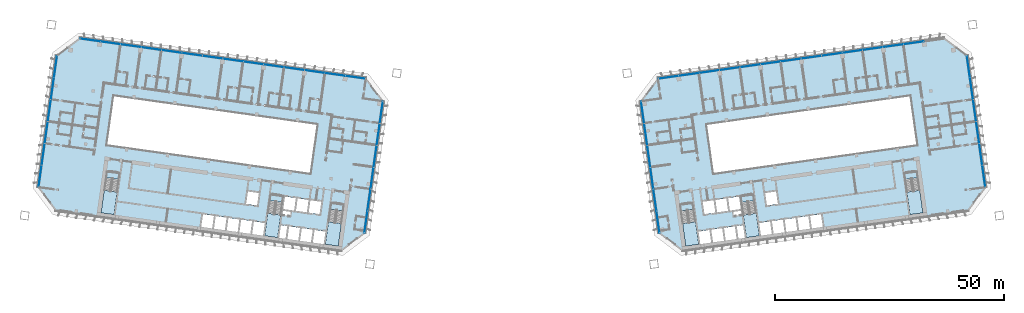
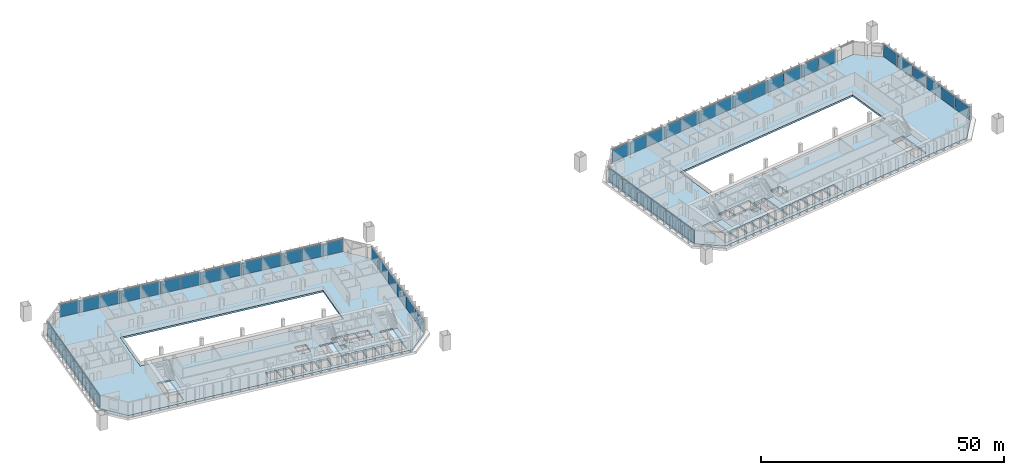
# One storey, part 12 of 24: 51 plates, 8 slabs, 12 elements without a shape of their own.
"""IFC4 building model written with IfcOpenShell, lengths in metres."""

from ifc_helpers import new_model, si_unit, direction, frame, origin, origin_2d, place, context, subcontext, project, spatial, polyline, rectangle, outline, extrude, material, layer, layer_set, type_object, element, aggregate, save


model = new_model("IFC4")

# Units and contexts
model_context = context("Model", 3, precision=1e-05, world=origin(), true_north=direction((0.0, 1.0)))
body_context = subcontext(model_context, "Body", "Model", "MODEL_VIEW")
ifc_project = project(units=[si_unit("LENGTHUNIT", "METRE"), si_unit("AREAUNIT", "SQUARE_METRE"), si_unit("VOLUMEUNIT", "CUBIC_METRE"), si_unit("PLANEANGLEUNIT", "RADIAN"), si_unit("MASSUNIT", "GRAM", prefix="KILO")], contexts=[model_context])

# Site, building, storey
site_placement = place(None, origin())
site = spatial("IfcSite", under=ifc_project, at=site_placement, CompositionType="ELEMENT")
building_placement = place(site_placement, origin())
building = spatial("IfcBuilding", under=site, at=building_placement, Name="Mirante Cascada Hotel Towers", CompositionType="ELEMENT")
storey_placement = place(building_placement, frame((0.0, 0.0, 43.3)))
storey = spatial("IfcBuildingStorey", under=building, at=storey_placement, Name="L07", CompositionType="ELEMENT", Elevation=43.3)

# Curtain wall, plates
ifc_material_1 = material(Name="Aluminium mullion and transom frame with clear laminated glass", Category="aluminium")
curtain_wall_type_1 = type_object("IfcCurtainWallType", Name="Ribbon curtain wall ECW1", PredefinedType="NOTDEFINED", material=ifc_material_1)
curtain_wall_1_placement = place(storey_placement, origin())
curtain_wall_1 = element("IfcCurtainWall", 1, at=curtain_wall_1_placement, inside=storey, type_object=curtain_wall_type_1, Name="Front ribbon wall T1 L07", PredefinedType="NOTDEFINED")
ifc_material_2 = material(Name="Clear laminated glass", Category="glass")
ifc_layer_1 = layer(ifc_material_2, 0.036)
ifc_layer_set_1 = layer_set([ifc_layer_1], Name="ECW1 glass panel 36")
plate_type_1 = type_object("IfcPlateType", Name="ECW1 glass panel 36", PredefinedType="CURTAIN_PANEL", material=ifc_layer_set_1)
plate_1_placement = place(storey_placement, frame((-91.9184, 25.7373, 0.1), z_axis=(0.0, 0.0, 1.0), x_axis=(0.9902681, -0.1391731, 0.0)))
plate_1 = element("IfcPlate", 2, at=plate_1_placement, type_object=plate_type_1, Name="ECW1 panel 1", PredefinedType="CURTAIN_PANEL", context=body_context, shape_type="SweptSolid", body=[
    extrude(rectangle(XDim=4.3936, YDim=0.036, at=origin_2d()), origin(), (0.0, 0.0, 1.0), 3.15),
])
plate_2_placement = place(storey_placement, frame((-87.487, 25.1145, 0.1), z_axis=(0.0, 0.0, 1.0), x_axis=(0.9902681, -0.1391731, 0.0)))
plate_2 = element("IfcPlate", 3, at=plate_2_placement, type_object=plate_type_1, Name="ECW1 panel 2", PredefinedType="CURTAIN_PANEL", context=body_context, shape_type="SweptSolid", body=[
    extrude(rectangle(XDim=4.4261, YDim=0.036, at=origin_2d()), origin(), (0.0, 0.0, 1.0), 3.15),
])
plate_3_placement = place(storey_placement, frame((-83.0396, 24.4895, 0.1), z_axis=(0.0, 0.0, 1.0), x_axis=(0.9902681, -0.1391731, 0.0)))
plate_3 = element("IfcPlate", 4, at=plate_3_placement, type_object=plate_type_1, Name="ECW1 panel 3", PredefinedType="CURTAIN_PANEL", context=body_context, shape_type="SweptSolid", body=[
    extrude(rectangle(XDim=4.4261, YDim=0.036, at=origin_2d()), origin(), (0.0, 0.0, 1.0), 3.15),
])
plate_4_placement = place(storey_placement, frame((-78.5922, 23.8644, 0.1), z_axis=(0.0, 0.0, 1.0), x_axis=(0.9902681, -0.1391731, 0.0)))
plate_4 = element("IfcPlate", 5, at=plate_4_placement, type_object=plate_type_1, Name="ECW1 panel 4", PredefinedType="CURTAIN_PANEL", context=body_context, shape_type="SweptSolid", body=[
    extrude(rectangle(XDim=4.4261, YDim=0.036, at=origin_2d()), origin(), (0.0, 0.0, 1.0), 3.15),
])
plate_5_placement = place(storey_placement, frame((-74.1448, 23.2394, 0.1), z_axis=(0.0, 0.0, 1.0), x_axis=(0.9902681, -0.1391731, 0.0)))
plate_5 = element("IfcPlate", 6, at=plate_5_placement, type_object=plate_type_1, Name="ECW1 panel 5", PredefinedType="CURTAIN_PANEL", context=body_context, shape_type="SweptSolid", body=[
    extrude(rectangle(XDim=4.4261, YDim=0.036, at=origin_2d()), origin(), (0.0, 0.0, 1.0), 3.15),
])
plate_6_placement = place(storey_placement, frame((-69.6974, 22.6144, 0.1), z_axis=(0.0, 0.0, 1.0), x_axis=(0.9902681, -0.1391731, 0.0)))
plate_6 = element("IfcPlate", 7, at=plate_6_placement, type_object=plate_type_1, Name="ECW1 panel 6", PredefinedType="CURTAIN_PANEL", context=body_context, shape_type="SweptSolid", body=[
    extrude(rectangle(XDim=4.4261, YDim=0.036, at=origin_2d()), origin(), (0.0, 0.0, 1.0), 3.15),
])
plate_7_placement = place(storey_placement, frame((-65.2499, 21.9893, 0.1), z_axis=(0.0, 0.0, 1.0), x_axis=(0.9902681, -0.1391731, 0.0)))
plate_7 = element("IfcPlate", 8, at=plate_7_placement, type_object=plate_type_1, Name="ECW1 panel 7", PredefinedType="CURTAIN_PANEL", context=body_context, shape_type="SweptSolid", body=[
    extrude(rectangle(XDim=4.4261, YDim=0.036, at=origin_2d()), origin(), (0.0, 0.0, 1.0), 3.15),
])
plate_8_placement = place(storey_placement, frame((-60.8025, 21.3643, 0.1), z_axis=(0.0, 0.0, 1.0), x_axis=(0.9902681, -0.1391731, 0.0)))
plate_8 = element("IfcPlate", 9, at=plate_8_placement, type_object=plate_type_1, Name="ECW1 panel 8", PredefinedType="CURTAIN_PANEL", context=body_context, shape_type="SweptSolid", body=[
    extrude(rectangle(XDim=4.4261, YDim=0.036, at=origin_2d()), origin(), (0.0, 0.0, 1.0), 3.15),
])
plate_9_placement = place(storey_placement, frame((-56.3551, 20.7392, 0.1), z_axis=(0.0, 0.0, 1.0), x_axis=(0.9902681, -0.1391731, 0.0)))
plate_9 = element("IfcPlate", 10, at=plate_9_placement, type_object=plate_type_1, Name="ECW1 panel 9", PredefinedType="CURTAIN_PANEL", context=body_context, shape_type="SweptSolid", body=[
    extrude(rectangle(XDim=4.4261, YDim=0.036, at=origin_2d()), origin(), (0.0, 0.0, 1.0), 3.15),
])
plate_10_placement = place(storey_placement, frame((-51.9077, 20.1142, 0.1), z_axis=(0.0, 0.0, 1.0), x_axis=(0.9902681, -0.1391731, 0.0)))
plate_10 = element("IfcPlate", 11, at=plate_10_placement, type_object=plate_type_1, Name="ECW1 panel 10", PredefinedType="CURTAIN_PANEL", context=body_context, shape_type="SweptSolid", body=[
    extrude(rectangle(XDim=4.4261, YDim=0.036, at=origin_2d()), origin(), (0.0, 0.0, 1.0), 3.15),
])
plate_11_placement = place(storey_placement, frame((-47.4603, 19.4891, 0.1), z_axis=(0.0, 0.0, 1.0), x_axis=(0.9902681, -0.1391731, 0.0)))
plate_11 = element("IfcPlate", 12, at=plate_11_placement, type_object=plate_type_1, Name="ECW1 panel 11", PredefinedType="CURTAIN_PANEL", context=body_context, shape_type="SweptSolid", body=[
    extrude(rectangle(XDim=4.4261, YDim=0.036, at=origin_2d()), origin(), (0.0, 0.0, 1.0), 3.15),
])
plate_12_placement = place(storey_placement, frame((-43.0129, 18.8641, 0.1), z_axis=(0.0, 0.0, 1.0), x_axis=(0.9902681, -0.1391731, 0.0)))
plate_12 = element("IfcPlate", 13, at=plate_12_placement, type_object=plate_type_1, Name="ECW1 panel 12", PredefinedType="CURTAIN_PANEL", context=body_context, shape_type="SweptSolid", body=[
    extrude(rectangle(XDim=4.4261, YDim=0.036, at=origin_2d()), origin(), (0.0, 0.0, 1.0), 3.15),
])
plate_13_placement = place(storey_placement, frame((-38.5654, 18.239, 0.1), z_axis=(0.0, 0.0, 1.0), x_axis=(0.9902681, -0.1391731, 0.0)))
plate_13 = element("IfcPlate", 14, at=plate_13_placement, type_object=plate_type_1, Name="ECW1 panel 13", PredefinedType="CURTAIN_PANEL", context=body_context, shape_type="SweptSolid", body=[
    extrude(rectangle(XDim=4.4261, YDim=0.036, at=origin_2d()), origin(), (0.0, 0.0, 1.0), 3.15),
])
plate_14_placement = place(storey_placement, frame((-34.1341, 17.6163, 0.1), z_axis=(0.0, 0.0, 1.0), x_axis=(0.9902681, -0.1391731, 0.0)))
plate_14 = element("IfcPlate", 15, at=plate_14_placement, type_object=plate_type_1, Name="ECW1 panel 14", PredefinedType="CURTAIN_PANEL", context=body_context, shape_type="SweptSolid", body=[
    extrude(rectangle(XDim=4.3936, YDim=0.036, at=origin_2d()), origin(), (0.0, 0.0, 1.0), 3.15),
])
aggregate(curtain_wall_1, [plate_1, plate_2, plate_3, plate_4, plate_5, plate_6, plate_7, plate_8, plate_9, plate_10, plate_11, plate_12, plate_13, plate_14])

curtain_wall_2_placement = place(storey_placement, origin())
curtain_wall_2 = element("IfcCurtainWall", 16, at=curtain_wall_2_placement, inside=storey, type_object=curtain_wall_type_1, Name="Front ribbon wall T2 L07", PredefinedType="NOTDEFINED")
plate_15_placement = place(storey_placement, frame((87.487, 25.1145, 0.1), z_axis=(0.0, 0.0, 1.0), x_axis=(-0.9902681, -0.1391731, 0.0)))
plate_15 = element("IfcPlate", 17, at=plate_15_placement, type_object=plate_type_1, Name="ECW1 panel 2", PredefinedType="CURTAIN_PANEL", context=body_context, shape_type="SweptSolid", body=[
    extrude(rectangle(XDim=4.4261, YDim=0.036, at=origin_2d()), origin(), (0.0, 0.0, 1.0), 3.15),
])
plate_16_placement = place(storey_placement, frame((83.0396, 24.4895, 0.1), z_axis=(0.0, 0.0, 1.0), x_axis=(-0.9902681, -0.1391731, 0.0)))
plate_16 = element("IfcPlate", 18, at=plate_16_placement, type_object=plate_type_1, Name="ECW1 panel 3", PredefinedType="CURTAIN_PANEL", context=body_context, shape_type="SweptSolid", body=[
    extrude(rectangle(XDim=4.4261, YDim=0.036, at=origin_2d()), origin(), (0.0, 0.0, 1.0), 3.15),
])
plate_17_placement = place(storey_placement, frame((78.5922, 23.8644, 0.1), z_axis=(0.0, 0.0, 1.0), x_axis=(-0.9902681, -0.1391731, 0.0)))
plate_17 = element("IfcPlate", 19, at=plate_17_placement, type_object=plate_type_1, Name="ECW1 panel 4", PredefinedType="CURTAIN_PANEL", context=body_context, shape_type="SweptSolid", body=[
    extrude(rectangle(XDim=4.4261, YDim=0.036, at=origin_2d()), origin(), (0.0, 0.0, 1.0), 3.15),
])
plate_18_placement = place(storey_placement, frame((74.1448, 23.2394, 0.1), z_axis=(0.0, 0.0, 1.0), x_axis=(-0.9902681, -0.1391731, 0.0)))
plate_18 = element("IfcPlate", 20, at=plate_18_placement, type_object=plate_type_1, Name="ECW1 panel 5", PredefinedType="CURTAIN_PANEL", context=body_context, shape_type="SweptSolid", body=[
    extrude(rectangle(XDim=4.4261, YDim=0.036, at=origin_2d()), origin(), (0.0, 0.0, 1.0), 3.15),
])
plate_19_placement = place(storey_placement, frame((69.6974, 22.6144, 0.1), z_axis=(0.0, 0.0, 1.0), x_axis=(-0.9902681, -0.1391731, 0.0)))
plate_19 = element("IfcPlate", 21, at=plate_19_placement, type_object=plate_type_1, Name="ECW1 panel 6", PredefinedType="CURTAIN_PANEL", context=body_context, shape_type="SweptSolid", body=[
    extrude(rectangle(XDim=4.4261, YDim=0.036, at=origin_2d()), origin(), (0.0, 0.0, 1.0), 3.15),
])
plate_20_placement = place(storey_placement, frame((65.2499, 21.9893, 0.1), z_axis=(0.0, 0.0, 1.0), x_axis=(-0.9902681, -0.1391731, 0.0)))
plate_20 = element("IfcPlate", 22, at=plate_20_placement, type_object=plate_type_1, Name="ECW1 panel 7", PredefinedType="CURTAIN_PANEL", context=body_context, shape_type="SweptSolid", body=[
    extrude(rectangle(XDim=4.4261, YDim=0.036, at=origin_2d()), origin(), (0.0, 0.0, 1.0), 3.15),
])
plate_21_placement = place(storey_placement, frame((60.8025, 21.3643, 0.1), z_axis=(0.0, 0.0, 1.0), x_axis=(-0.9902681, -0.1391731, 0.0)))
plate_21 = element("IfcPlate", 23, at=plate_21_placement, type_object=plate_type_1, Name="ECW1 panel 8", PredefinedType="CURTAIN_PANEL", context=body_context, shape_type="SweptSolid", body=[
    extrude(rectangle(XDim=4.4261, YDim=0.036, at=origin_2d()), origin(), (0.0, 0.0, 1.0), 3.15),
])
plate_22_placement = place(storey_placement, frame((56.3551, 20.7392, 0.1), z_axis=(0.0, 0.0, 1.0), x_axis=(-0.9902681, -0.1391731, 0.0)))
plate_22 = element("IfcPlate", 24, at=plate_22_placement, type_object=plate_type_1, Name="ECW1 panel 9", PredefinedType="CURTAIN_PANEL", context=body_context, shape_type="SweptSolid", body=[
    extrude(rectangle(XDim=4.4261, YDim=0.036, at=origin_2d()), origin(), (0.0, 0.0, 1.0), 3.15),
])
plate_23_placement = place(storey_placement, frame((51.9077, 20.1142, 0.1), z_axis=(0.0, 0.0, 1.0), x_axis=(-0.9902681, -0.1391731, 0.0)))
plate_23 = element("IfcPlate", 25, at=plate_23_placement, type_object=plate_type_1, Name="ECW1 panel 10", PredefinedType="CURTAIN_PANEL", context=body_context, shape_type="SweptSolid", body=[
    extrude(rectangle(XDim=4.4261, YDim=0.036, at=origin_2d()), origin(), (0.0, 0.0, 1.0), 3.15),
])
plate_24_placement = place(storey_placement, frame((47.4603, 19.4891, 0.1), z_axis=(0.0, 0.0, 1.0), x_axis=(-0.9902681, -0.1391731, 0.0)))
plate_24 = element("IfcPlate", 26, at=plate_24_placement, type_object=plate_type_1, Name="ECW1 panel 11", PredefinedType="CURTAIN_PANEL", context=body_context, shape_type="SweptSolid", body=[
    extrude(rectangle(XDim=4.4261, YDim=0.036, at=origin_2d()), origin(), (0.0, 0.0, 1.0), 3.15),
])
plate_25_placement = place(storey_placement, frame((43.0129, 18.8641, 0.1), z_axis=(0.0, 0.0, 1.0), x_axis=(-0.9902681, -0.1391731, 0.0)))
plate_25 = element("IfcPlate", 27, at=plate_25_placement, type_object=plate_type_1, Name="ECW1 panel 12", PredefinedType="CURTAIN_PANEL", context=body_context, shape_type="SweptSolid", body=[
    extrude(rectangle(XDim=4.4261, YDim=0.036, at=origin_2d()), origin(), (0.0, 0.0, 1.0), 3.15),
])
plate_26_placement = place(storey_placement, frame((38.5654, 18.239, 0.1), z_axis=(0.0, 0.0, 1.0), x_axis=(-0.9902681, -0.1391731, 0.0)))
plate_26 = element("IfcPlate", 28, at=plate_26_placement, type_object=plate_type_1, Name="ECW1 panel 13", PredefinedType="CURTAIN_PANEL", context=body_context, shape_type="SweptSolid", body=[
    extrude(rectangle(XDim=4.4261, YDim=0.036, at=origin_2d()), origin(), (0.0, 0.0, 1.0), 3.15),
])
plate_27_placement = place(storey_placement, frame((34.1341, 17.6163, 0.1), z_axis=(0.0, 0.0, 1.0), x_axis=(-0.9902681, -0.1391731, 0.0)))
plate_27 = element("IfcPlate", 29, at=plate_27_placement, type_object=plate_type_1, Name="ECW1 panel 14", PredefinedType="CURTAIN_PANEL", context=body_context, shape_type="SweptSolid", body=[
    extrude(rectangle(XDim=4.3936, YDim=0.036, at=origin_2d()), origin(), (0.0, 0.0, 1.0), 3.15),
])
aggregate(curtain_wall_2, [plate_15, plate_16, plate_17, plate_18, plate_19, plate_20, plate_21, plate_22, plate_23, plate_24, plate_25, plate_26, plate_27])

ifc_material_3 = material(Name="Aluminium mullion and transom frame with clear laminated glass", Category="aluminium")
curtain_wall_type_2 = type_object("IfcCurtainWallType", Name="End ribbon curtain wall ECW2", PredefinedType="NOTDEFINED", material=ifc_material_3)
curtain_wall_3_placement = place(storey_placement, origin())
curtain_wall_3 = element("IfcCurtainWall", 30, at=curtain_wall_3_placement, inside=storey, type_object=curtain_wall_type_2, Name="Inner end wall T1 L07", PredefinedType="NOTDEFINED")
ifc_material_4 = material(Name="Clear laminated glass", Category="glass")
ifc_layer_2 = layer(ifc_material_4, 0.034)
ifc_layer_set_2 = layer_set([ifc_layer_2], Name="ECW2 glass panel 34")
plate_type_2 = type_object("IfcPlateType", Name="ECW2 glass panel 34", PredefinedType="CURTAIN_PANEL", material=ifc_layer_set_2)
plate_28_placement = place(storey_placement, frame((-28.4763, 9.9193, 0.1), z_axis=(0.0, 0.0, 1.0), x_axis=(-0.1391731, -0.9902681, 0.0)))
plate_28 = element("IfcPlate", 31, at=plate_28_placement, type_object=plate_type_2, Name="ECW2 panel 1", PredefinedType="CURTAIN_PANEL", context=body_context, shape_type="SweptSolid", body=[
    extrude(rectangle(XDim=4.7151, YDim=0.034, at=origin_2d()), origin(), (0.0, 0.0, 1.0), 3.15),
])
plate_29_placement = place(storey_placement, frame((-29.1439, 5.1696, 0.1), z_axis=(0.0, 0.0, 1.0), x_axis=(-0.1391731, -0.9902681, 0.0)))
plate_29 = element("IfcPlate", 32, at=plate_29_placement, type_object=plate_type_2, Name="ECW2 panel 2", PredefinedType="CURTAIN_PANEL", context=body_context, shape_type="SweptSolid", body=[
    extrude(rectangle(XDim=4.7476, YDim=0.034, at=origin_2d()), origin(), (0.0, 0.0, 1.0), 3.15),
])
plate_30_placement = place(storey_placement, frame((-29.8136, 0.4038, 0.1), z_axis=(0.0, 0.0, 1.0), x_axis=(-0.1391731, -0.9902681, 0.0)))
plate_30 = element("IfcPlate", 33, at=plate_30_placement, type_object=plate_type_2, Name="ECW2 panel 3", PredefinedType="CURTAIN_PANEL", context=body_context, shape_type="SweptSolid", body=[
    extrude(rectangle(XDim=4.7476, YDim=0.034, at=origin_2d()), origin(), (0.0, 0.0, 1.0), 3.15),
])
plate_31_placement = place(storey_placement, frame((-30.4834, -4.362, 0.1), z_axis=(0.0, 0.0, 1.0), x_axis=(-0.1391731, -0.9902681, 0.0)))
plate_31 = element("IfcPlate", 34, at=plate_31_placement, type_object=plate_type_2, Name="ECW2 panel 4", PredefinedType="CURTAIN_PANEL", context=body_context, shape_type="SweptSolid", body=[
    extrude(rectangle(XDim=4.7476, YDim=0.034, at=origin_2d()), origin(), (0.0, 0.0, 1.0), 3.15),
])
plate_32_placement = place(storey_placement, frame((-31.1532, -9.1278, 0.1), z_axis=(0.0, 0.0, 1.0), x_axis=(-0.1391731, -0.9902681, 0.0)))
plate_32 = element("IfcPlate", 35, at=plate_32_placement, type_object=plate_type_2, Name="ECW2 panel 5", PredefinedType="CURTAIN_PANEL", context=body_context, shape_type="SweptSolid", body=[
    extrude(rectangle(XDim=4.7476, YDim=0.034, at=origin_2d()), origin(), (0.0, 0.0, 1.0), 3.15),
])
plate_33_placement = place(storey_placement, frame((-31.8207, -13.8775, 0.1), z_axis=(0.0, 0.0, 1.0), x_axis=(-0.1391731, -0.9902681, 0.0)))
plate_33 = element("IfcPlate", 36, at=plate_33_placement, type_object=plate_type_2, Name="ECW2 panel 6", PredefinedType="CURTAIN_PANEL", context=body_context, shape_type="SweptSolid", body=[
    extrude(rectangle(XDim=4.7151, YDim=0.034, at=origin_2d()), origin(), (0.0, 0.0, 1.0), 3.15),
])
aggregate(curtain_wall_3, [plate_28, plate_29, plate_30, plate_31, plate_32, plate_33])

curtain_wall_4_placement = place(storey_placement, origin())
curtain_wall_4 = element("IfcCurtainWall", 37, at=curtain_wall_4_placement, inside=storey, type_object=curtain_wall_type_2, Name="Outer end wall T1 L07", PredefinedType="NOTDEFINED")
plate_34_placement = place(storey_placement, frame((-102.823, -3.8988, 0.1), z_axis=(0.0, 0.0, 1.0), x_axis=(0.1391731, 0.9902681, 0.0)))
plate_34 = element("IfcPlate", 38, at=plate_34_placement, type_object=plate_type_2, Name="ECW2 panel 1", PredefinedType="CURTAIN_PANEL", context=body_context, shape_type="SweptSolid", body=[
    extrude(rectangle(XDim=4.7151, YDim=0.034, at=origin_2d()), origin(), (0.0, 0.0, 1.0), 3.15),
])
plate_35_placement = place(storey_placement, frame((-102.1554, 0.8509, 0.1), z_axis=(0.0, 0.0, 1.0), x_axis=(0.1391731, 0.9902681, 0.0)))
plate_35 = element("IfcPlate", 39, at=plate_35_placement, type_object=plate_type_2, Name="ECW2 panel 2", PredefinedType="CURTAIN_PANEL", context=body_context, shape_type="SweptSolid", body=[
    extrude(rectangle(XDim=4.7476, YDim=0.034, at=origin_2d()), origin(), (0.0, 0.0, 1.0), 3.15),
])
plate_36_placement = place(storey_placement, frame((-101.4857, 5.6167, 0.1), z_axis=(0.0, 0.0, 1.0), x_axis=(0.1391731, 0.9902681, 0.0)))
plate_36 = element("IfcPlate", 40, at=plate_36_placement, type_object=plate_type_2, Name="ECW2 panel 3", PredefinedType="CURTAIN_PANEL", context=body_context, shape_type="SweptSolid", body=[
    extrude(rectangle(XDim=4.7476, YDim=0.034, at=origin_2d()), origin(), (0.0, 0.0, 1.0), 3.15),
])
plate_37_placement = place(storey_placement, frame((-100.8159, 10.3825, 0.1), z_axis=(0.0, 0.0, 1.0), x_axis=(0.1391731, 0.9902681, 0.0)))
plate_37 = element("IfcPlate", 41, at=plate_37_placement, type_object=plate_type_2, Name="ECW2 panel 4", PredefinedType="CURTAIN_PANEL", context=body_context, shape_type="SweptSolid", body=[
    extrude(rectangle(XDim=4.7476, YDim=0.034, at=origin_2d()), origin(), (0.0, 0.0, 1.0), 3.15),
])
plate_38_placement = place(storey_placement, frame((-100.1461, 15.1483, 0.1), z_axis=(0.0, 0.0, 1.0), x_axis=(0.1391731, 0.9902681, 0.0)))
plate_38 = element("IfcPlate", 42, at=plate_38_placement, type_object=plate_type_2, Name="ECW2 panel 5", PredefinedType="CURTAIN_PANEL", context=body_context, shape_type="SweptSolid", body=[
    extrude(rectangle(XDim=4.7476, YDim=0.034, at=origin_2d()), origin(), (0.0, 0.0, 1.0), 3.15),
])
plate_39_placement = place(storey_placement, frame((-99.4786, 19.898, 0.1), z_axis=(0.0, 0.0, 1.0), x_axis=(0.1391731, 0.9902681, 0.0)))
plate_39 = element("IfcPlate", 43, at=plate_39_placement, type_object=plate_type_2, Name="ECW2 panel 6", PredefinedType="CURTAIN_PANEL", context=body_context, shape_type="SweptSolid", body=[
    extrude(rectangle(XDim=4.7151, YDim=0.034, at=origin_2d()), origin(), (0.0, 0.0, 1.0), 3.15),
])
aggregate(curtain_wall_4, [plate_34, plate_35, plate_36, plate_37, plate_38, plate_39])

curtain_wall_5_placement = place(storey_placement, origin())
curtain_wall_5 = element("IfcCurtainWall", 44, at=curtain_wall_5_placement, inside=storey, type_object=curtain_wall_type_2, Name="Inner end wall T2 L07", PredefinedType="NOTDEFINED")
plate_40_placement = place(storey_placement, frame((28.4763, 9.9193, 0.1), z_axis=(0.0, 0.0, 1.0), x_axis=(0.1391731, -0.9902681, 0.0)))
plate_40 = element("IfcPlate", 45, at=plate_40_placement, type_object=plate_type_2, Name="ECW2 panel 1", PredefinedType="CURTAIN_PANEL", context=body_context, shape_type="SweptSolid", body=[
    extrude(rectangle(XDim=4.7151, YDim=0.034, at=origin_2d()), origin(), (0.0, 0.0, 1.0), 3.15),
])
plate_41_placement = place(storey_placement, frame((29.1439, 5.1696, 0.1), z_axis=(0.0, 0.0, 1.0), x_axis=(0.1391731, -0.9902681, 0.0)))
plate_41 = element("IfcPlate", 46, at=plate_41_placement, type_object=plate_type_2, Name="ECW2 panel 2", PredefinedType="CURTAIN_PANEL", context=body_context, shape_type="SweptSolid", body=[
    extrude(rectangle(XDim=4.7476, YDim=0.034, at=origin_2d()), origin(), (0.0, 0.0, 1.0), 3.15),
])
plate_42_placement = place(storey_placement, frame((29.8136, 0.4038, 0.1), z_axis=(0.0, 0.0, 1.0), x_axis=(0.1391731, -0.9902681, 0.0)))
plate_42 = element("IfcPlate", 47, at=plate_42_placement, type_object=plate_type_2, Name="ECW2 panel 3", PredefinedType="CURTAIN_PANEL", context=body_context, shape_type="SweptSolid", body=[
    extrude(rectangle(XDim=4.7476, YDim=0.034, at=origin_2d()), origin(), (0.0, 0.0, 1.0), 3.15),
])
plate_43_placement = place(storey_placement, frame((30.4834, -4.362, 0.1), z_axis=(0.0, 0.0, 1.0), x_axis=(0.1391731, -0.9902681, 0.0)))
plate_43 = element("IfcPlate", 48, at=plate_43_placement, type_object=plate_type_2, Name="ECW2 panel 4", PredefinedType="CURTAIN_PANEL", context=body_context, shape_type="SweptSolid", body=[
    extrude(rectangle(XDim=4.7476, YDim=0.034, at=origin_2d()), origin(), (0.0, 0.0, 1.0), 3.15),
])
plate_44_placement = place(storey_placement, frame((31.1532, -9.1278, 0.1), z_axis=(0.0, 0.0, 1.0), x_axis=(0.1391731, -0.9902681, 0.0)))
plate_44 = element("IfcPlate", 49, at=plate_44_placement, type_object=plate_type_2, Name="ECW2 panel 5", PredefinedType="CURTAIN_PANEL", context=body_context, shape_type="SweptSolid", body=[
    extrude(rectangle(XDim=4.7476, YDim=0.034, at=origin_2d()), origin(), (0.0, 0.0, 1.0), 3.15),
])
plate_45_placement = place(storey_placement, frame((31.8207, -13.8775, 0.1), z_axis=(0.0, 0.0, 1.0), x_axis=(0.1391731, -0.9902681, 0.0)))
plate_45 = element("IfcPlate", 50, at=plate_45_placement, type_object=plate_type_2, Name="ECW2 panel 6", PredefinedType="CURTAIN_PANEL", context=body_context, shape_type="SweptSolid", body=[
    extrude(rectangle(XDim=4.7151, YDim=0.034, at=origin_2d()), origin(), (0.0, 0.0, 1.0), 3.15),
])
aggregate(curtain_wall_5, [plate_40, plate_41, plate_42, plate_43, plate_44, plate_45])

curtain_wall_6_placement = place(storey_placement, origin())
curtain_wall_6 = element("IfcCurtainWall", 51, at=curtain_wall_6_placement, inside=storey, type_object=curtain_wall_type_2, Name="Outer end wall T2 L07", PredefinedType="NOTDEFINED")
plate_46_placement = place(storey_placement, frame((102.823, -3.8988, 0.1), z_axis=(0.0, 0.0, 1.0), x_axis=(-0.1391731, 0.9902681, 0.0)))
plate_46 = element("IfcPlate", 52, at=plate_46_placement, type_object=plate_type_2, Name="ECW2 panel 1", PredefinedType="CURTAIN_PANEL", context=body_context, shape_type="SweptSolid", body=[
    extrude(rectangle(XDim=4.7151, YDim=0.034, at=origin_2d()), origin(), (0.0, 0.0, 1.0), 3.15),
])
plate_47_placement = place(storey_placement, frame((102.1554, 0.8509, 0.1), z_axis=(0.0, 0.0, 1.0), x_axis=(-0.1391731, 0.9902681, 0.0)))
plate_47 = element("IfcPlate", 53, at=plate_47_placement, type_object=plate_type_2, Name="ECW2 panel 2", PredefinedType="CURTAIN_PANEL", context=body_context, shape_type="SweptSolid", body=[
    extrude(rectangle(XDim=4.7476, YDim=0.034, at=origin_2d()), origin(), (0.0, 0.0, 1.0), 3.15),
])
plate_48_placement = place(storey_placement, frame((101.4857, 5.6167, 0.1), z_axis=(0.0, 0.0, 1.0), x_axis=(-0.1391731, 0.9902681, 0.0)))
plate_48 = element("IfcPlate", 54, at=plate_48_placement, type_object=plate_type_2, Name="ECW2 panel 3", PredefinedType="CURTAIN_PANEL", context=body_context, shape_type="SweptSolid", body=[
    extrude(rectangle(XDim=4.7476, YDim=0.034, at=origin_2d()), origin(), (0.0, 0.0, 1.0), 3.15),
])
plate_49_placement = place(storey_placement, frame((100.8159, 10.3825, 0.1), z_axis=(0.0, 0.0, 1.0), x_axis=(-0.1391731, 0.9902681, 0.0)))
plate_49 = element("IfcPlate", 55, at=plate_49_placement, type_object=plate_type_2, Name="ECW2 panel 4", PredefinedType="CURTAIN_PANEL", context=body_context, shape_type="SweptSolid", body=[
    extrude(rectangle(XDim=4.7476, YDim=0.034, at=origin_2d()), origin(), (0.0, 0.0, 1.0), 3.15),
])
plate_50_placement = place(storey_placement, frame((100.1461, 15.1483, 0.1), z_axis=(0.0, 0.0, 1.0), x_axis=(-0.1391731, 0.9902681, 0.0)))
plate_50 = element("IfcPlate", 56, at=plate_50_placement, type_object=plate_type_2, Name="ECW2 panel 5", PredefinedType="CURTAIN_PANEL", context=body_context, shape_type="SweptSolid", body=[
    extrude(rectangle(XDim=4.7476, YDim=0.034, at=origin_2d()), origin(), (0.0, 0.0, 1.0), 3.15),
])
plate_51_placement = place(storey_placement, frame((99.4786, 19.898, 0.1), z_axis=(0.0, 0.0, 1.0), x_axis=(-0.1391731, 0.9902681, 0.0)))
plate_51 = element("IfcPlate", 57, at=plate_51_placement, type_object=plate_type_2, Name="ECW2 panel 6", PredefinedType="CURTAIN_PANEL", context=body_context, shape_type="SweptSolid", body=[
    extrude(rectangle(XDim=4.7151, YDim=0.034, at=origin_2d()), origin(), (0.0, 0.0, 1.0), 3.15),
])
aggregate(curtain_wall_6, [plate_46, plate_47, plate_48, plate_49, plate_50, plate_51])

# Stair, slab
ifc_material_5 = material(Name="Concrete C35/45", Category="concrete")
stair_type = type_object("IfcStairType", Name="Exit stair half-turn 1350 concrete C35/45", PredefinedType="HALF_TURN_STAIR", material=ifc_material_5)
stair_1_placement = place(storey_placement, origin())
stair_1 = element("IfcStair", 58, at=stair_1_placement, inside=storey, type_object=stair_type, Name="L07 Exit stair A", PredefinedType="HALF_TURN_STAIR")
ifc_material_6 = material(Name="Concrete C35/45", Category="concrete")
ifc_layer_3 = layer(ifc_material_6, 0.2)
ifc_layer_set_3 = layer_set([ifc_layer_3], Name="Exit stair landing 200 concrete C35/45")
slab_type_1 = type_object("IfcSlabType", Name="Exit stair landing 200 concrete C35/45", PredefinedType="LANDING", material=ifc_layer_set_3)
slab_1_placement = place(storey_placement, frame((0.0, 0.0, 1.7)))
slab_1 = element("IfcSlab", 59, at=slab_1_placement, type_object=slab_type_1, Name="ST1-A landing 1", PredefinedType="LANDING", context=body_context, shape_type="SweptSolid", body=[
    extrude(outline(polyline([(-39.9987, -13.8659), (-40.6887, -18.7757), (-37.8665, -19.1723), (-37.1765, -14.2626), (-39.9987, -13.8659)])), origin(), (0.0, 0.0, 1.0), 0.2),
])
aggregate(stair_1, [slab_1])

stair_2_placement = place(storey_placement, origin())
stair_2 = element("IfcStair", 60, at=stair_2_placement, inside=storey, type_object=stair_type, Name="L07 Exit stair B", PredefinedType="HALF_TURN_STAIR")
slab_2_placement = place(storey_placement, frame((0.0, 0.0, 1.7)))
slab_2 = element("IfcSlab", 61, at=slab_2_placement, type_object=slab_type_1, Name="ST1-B landing 1", PredefinedType="LANDING", context=body_context, shape_type="SweptSolid", body=[
    extrude(outline(polyline([(-53.2188, -12.008), (-53.9088, -16.9177), (-51.0866, -17.3144), (-50.3965, -12.4046), (-53.2188, -12.008)])), origin(), (0.0, 0.0, 1.0), 0.2),
])
aggregate(stair_2, [slab_2])

stair_3_placement = place(storey_placement, origin())
stair_3 = element("IfcStair", 62, at=stair_3_placement, inside=storey, type_object=stair_type, Name="L07 Exit stair C", PredefinedType="HALF_TURN_STAIR")
slab_3_placement = place(storey_placement, frame((0.0, 0.0, 1.7)))
slab_3 = element("IfcSlab", 63, at=slab_3_placement, type_object=slab_type_1, Name="ST1-C landing 1", PredefinedType="LANDING", context=body_context, shape_type="SweptSolid", body=[
    extrude(outline(polyline([(-88.8685, -6.9977), (-89.5585, -11.9075), (-86.7362, -12.3041), (-86.0462, -7.3944), (-88.8685, -6.9977)])), origin(), (0.0, 0.0, 1.0), 0.2),
])
aggregate(stair_3, [slab_3])

stair_4_placement = place(storey_placement, origin())
stair_4 = element("IfcStair", 64, at=stair_4_placement, inside=storey, type_object=stair_type, Name="L07 Exit stair A", PredefinedType="HALF_TURN_STAIR")
slab_4_placement = place(storey_placement, frame((0.0, 0.0, 1.7)))
slab_4 = element("IfcSlab", 65, at=slab_4_placement, type_object=slab_type_1, Name="ST2-A landing 1", PredefinedType="LANDING", context=body_context, shape_type="SweptSolid", body=[
    extrude(outline(polyline([(37.1765, -14.2626), (37.8665, -19.1723), (40.6887, -18.7757), (39.9987, -13.8659), (37.1765, -14.2626)])), origin(), (0.0, 0.0, 1.0), 0.2),
])
aggregate(stair_4, [slab_4])

stair_5_placement = place(storey_placement, origin())
stair_5 = element("IfcStair", 66, at=stair_5_placement, inside=storey, type_object=stair_type, Name="L07 Exit stair B", PredefinedType="HALF_TURN_STAIR")
slab_5_placement = place(storey_placement, frame((0.0, 0.0, 1.7)))
slab_5 = element("IfcSlab", 67, at=slab_5_placement, type_object=slab_type_1, Name="ST2-B landing 1", PredefinedType="LANDING", context=body_context, shape_type="SweptSolid", body=[
    extrude(outline(polyline([(50.3965, -12.4046), (51.0866, -17.3144), (53.9088, -16.9177), (53.2188, -12.008), (50.3965, -12.4046)])), origin(), (0.0, 0.0, 1.0), 0.2),
])
aggregate(stair_5, [slab_5])

stair_6_placement = place(storey_placement, origin())
stair_6 = element("IfcStair", 68, at=stair_6_placement, inside=storey, type_object=stair_type, Name="L07 Exit stair C", PredefinedType="HALF_TURN_STAIR")
slab_6_placement = place(storey_placement, frame((0.0, 0.0, 1.7)))
slab_6 = element("IfcSlab", 69, at=slab_6_placement, type_object=slab_type_1, Name="ST2-C landing 1", PredefinedType="LANDING", context=body_context, shape_type="SweptSolid", body=[
    extrude(outline(polyline([(86.0462, -7.3944), (86.7362, -12.3041), (89.5585, -11.9075), (88.8685, -6.9977), (86.0462, -7.3944)])), origin(), (0.0, 0.0, 1.0), 0.2),
])
aggregate(stair_6, [slab_6])

# Slabs
ifc_material_7 = material(Name="Concrete C40/50", Category="concrete")
ifc_layer_4 = layer(ifc_material_7, 0.45)
ifc_layer_set_4 = layer_set([ifc_layer_4], Name="Post-tensioned flat plate 450 Concrete C40/50")
slab_type_2 = type_object("IfcSlabType", Name="Post-tensioned flat plate 450 Concrete C40/50", PredefinedType="FLOOR", material=ifc_layer_set_4)
slab_7_placement = place(storey_placement, frame((0.0, 0.0, -0.45)))
element("IfcSlab", 70, at=slab_7_placement, inside=storey, type_object=slab_type_2, Name="Floor T1 L07", PredefinedType="FLOOR", context=body_context, shape_type="SweptSolid", body=[
    extrude(outline(polyline([(-32.018, -16.3589), (-27.982, 12.3589), (-31.8119, 17.4414), (-94.1988, 26.2093), (-99.2813, 22.3794), (-103.3173, -6.3384), (-99.4874, -11.4209), (-37.1005, -20.1888), (-32.018, -16.3589)]), holes=[polyline([(-43.0718, -15.6132), (-40.5961, -15.9612), (-40.9858, -18.7339), (-43.4615, -18.386), (-43.0718, -15.6132)]), polyline([(-45.8446, -15.2236), (-43.3689, -15.5715), (-43.7586, -18.3442), (-46.2342, -17.9963), (-45.8446, -15.2236)]), polyline([(-48.6173, -14.8339), (-46.1416, -15.1818), (-46.5313, -17.9546), (-49.007, -17.6066), (-48.6173, -14.8339)]), polyline([(-50.3998, -14.5834), (-48.9144, -14.7921), (-49.3041, -17.5649), (-50.7895, -17.3561), (-50.3998, -14.5834)]), polyline([(-36.7887, -11.5037), (-37.8665, -19.1723), (-40.6887, -18.7757), (-39.611, -11.107), (-36.7887, -11.5037)]), polyline([(-49.9544, -11.4145), (-48.1472, -11.6685), (-48.2829, -12.634), (-50.0901, -12.38), (-49.9544, -11.4145)]), polyline([(-43.9775, -9.124), (-41.5018, -9.472), (-41.8915, -12.2447), (-44.3672, -11.8968), (-43.9775, -9.124)]), polyline([(-47.1399, -11.5071), (-46.7503, -8.7344), (-44.2746, -9.0823), (-44.6643, -11.855), (-47.1399, -11.5071)]), polyline([(-49.9127, -11.1174), (-49.523, -8.3447), (-47.0473, -8.6926), (-47.437, -11.4654), (-49.9127, -11.1174)]), polyline([(-56.2919, -13.7553), (-53.8162, -14.1032), (-54.2059, -16.876), (-56.6816, -16.528), (-56.2919, -13.7553)]), polyline([(-59.0646, -13.3656), (-56.589, -13.7135), (-56.9787, -16.4863), (-59.4543, -16.1383), (-59.0646, -13.3656)]), polyline([(-61.8374, -12.9759), (-59.3617, -13.3238), (-59.7514, -16.0966), (-62.2271, -15.7487), (-61.8374, -12.9759)]), polyline([(-64.6101, -12.5862), (-62.1345, -12.9342), (-62.5242, -15.7069), (-64.9998, -15.359), (-64.6101, -12.5862)]), polyline([(-67.3829, -12.1965), (-64.9072, -12.5445), (-65.2969, -15.3172), (-67.7726, -14.9693), (-67.3829, -12.1965)]), polyline([(-50.0088, -9.6457), (-51.0866, -17.3144), (-53.9088, -16.9177), (-52.8311, -9.2491), (-50.0088, -9.6457)]), polyline([(-85.6585, -4.6355), (-86.7362, -12.3041), (-89.5585, -11.9075), (-88.4807, -4.2388), (-85.6585, -4.6355)]), polyline([(-57.9834, -9.9832), (-57.5937, -7.2104), (-55.118, -7.5583), (-55.5077, -10.3311), (-57.9834, -9.9832)]), polyline([(-88.4039, 2.7747), (-86.873, 13.6677), (-42.3109, 7.4049), (-43.8418, -3.4881), (-88.4039, 2.7747)])]), origin(), (0.0, 0.0, 1.0), 0.45),
])
slab_8_placement = place(storey_placement, frame((0.0, 0.0, -0.45)))
element("IfcSlab", 71, at=slab_8_placement, inside=storey, type_object=slab_type_2, Name="Floor T2 L07", PredefinedType="FLOOR", context=body_context, shape_type="SweptSolid", body=[
    extrude(outline(polyline([(32.018, -16.3589), (27.982, 12.3589), (31.8119, 17.4414), (94.1988, 26.2093), (99.2813, 22.3794), (103.3173, -6.3384), (99.4874, -11.4209), (37.1005, -20.1888), (32.018, -16.3589)]), holes=[polyline([(43.0718, -15.6132), (40.5961, -15.9612), (40.9858, -18.7339), (43.4615, -18.386), (43.0718, -15.6132)]), polyline([(45.8446, -15.2236), (43.3689, -15.5715), (43.7586, -18.3442), (46.2342, -17.9963), (45.8446, -15.2236)]), polyline([(48.6173, -14.8339), (46.1416, -15.1818), (46.5313, -17.9546), (49.007, -17.6066), (48.6173, -14.8339)]), polyline([(50.3998, -14.5834), (48.9144, -14.7921), (49.3041, -17.5649), (50.7895, -17.3561), (50.3998, -14.5834)]), polyline([(37.8665, -19.1723), (40.6887, -18.7757), (39.611, -11.107), (36.7887, -11.5037), (37.8665, -19.1723)]), polyline([(49.9544, -11.4145), (48.1472, -11.6685), (48.2829, -12.634), (50.0901, -12.38), (49.9544, -11.4145)]), polyline([(43.9775, -9.124), (41.5018, -9.472), (41.8915, -12.2447), (44.3672, -11.8968), (43.9775, -9.124)]), polyline([(47.1399, -11.5071), (46.7503, -8.7344), (44.2746, -9.0823), (44.6643, -11.855), (47.1399, -11.5071)]), polyline([(49.9127, -11.1174), (49.523, -8.3447), (47.0473, -8.6926), (47.437, -11.4654), (49.9127, -11.1174)]), polyline([(56.2919, -13.7553), (53.8162, -14.1032), (54.2059, -16.876), (56.6816, -16.528), (56.2919, -13.7553)]), polyline([(59.0646, -13.3656), (56.589, -13.7135), (56.9787, -16.4863), (59.4543, -16.1383), (59.0646, -13.3656)]), polyline([(61.8374, -12.9759), (59.3617, -13.3238), (59.7514, -16.0966), (62.2271, -15.7487), (61.8374, -12.9759)]), polyline([(64.6101, -12.5862), (62.1345, -12.9342), (62.5242, -15.7069), (64.9998, -15.359), (64.6101, -12.5862)]), polyline([(67.3829, -12.1965), (64.9072, -12.5445), (65.2969, -15.3172), (67.7726, -14.9693), (67.3829, -12.1965)]), polyline([(51.0866, -17.3144), (53.9088, -16.9177), (52.8311, -9.2491), (50.0088, -9.6457), (51.0866, -17.3144)]), polyline([(86.7362, -12.3041), (89.5585, -11.9075), (88.4807, -4.2388), (85.6585, -4.6355), (86.7362, -12.3041)]), polyline([(57.9834, -9.9832), (57.5937, -7.2104), (55.118, -7.5583), (55.5077, -10.3311), (57.9834, -9.9832)]), polyline([(88.4039, 2.7747), (86.873, 13.6677), (42.3109, 7.4049), (43.8418, -3.4881), (88.4039, 2.7747)])]), origin(), (0.0, 0.0, 1.0), 0.45),
])

save(model, "model.ifc")
